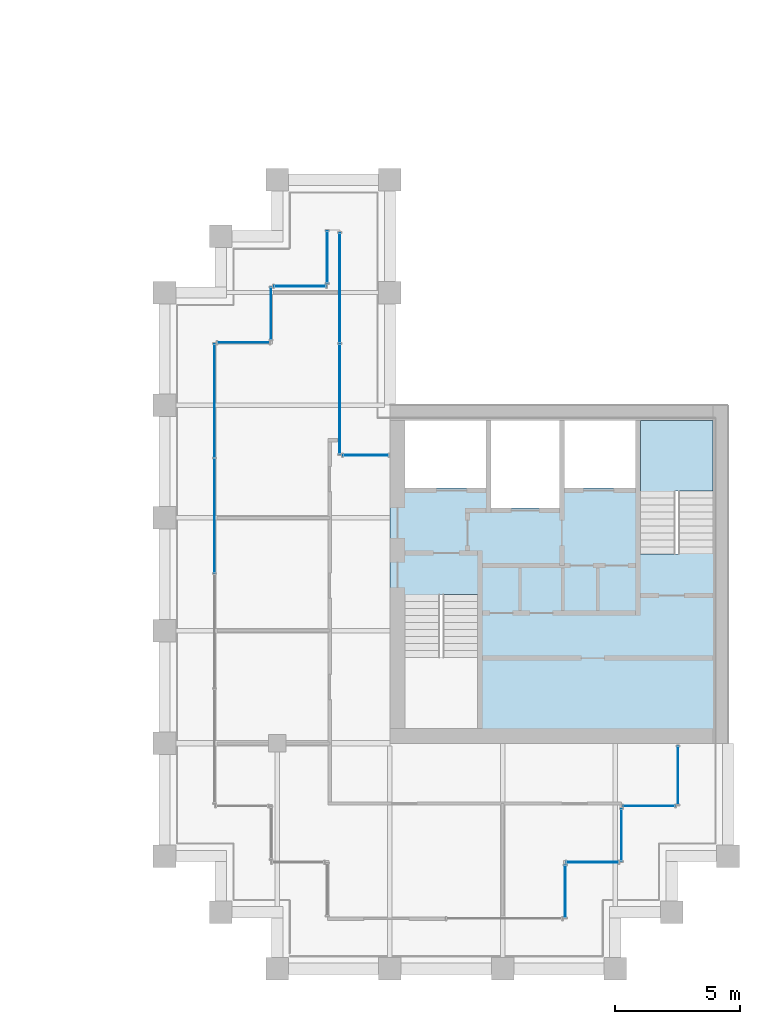
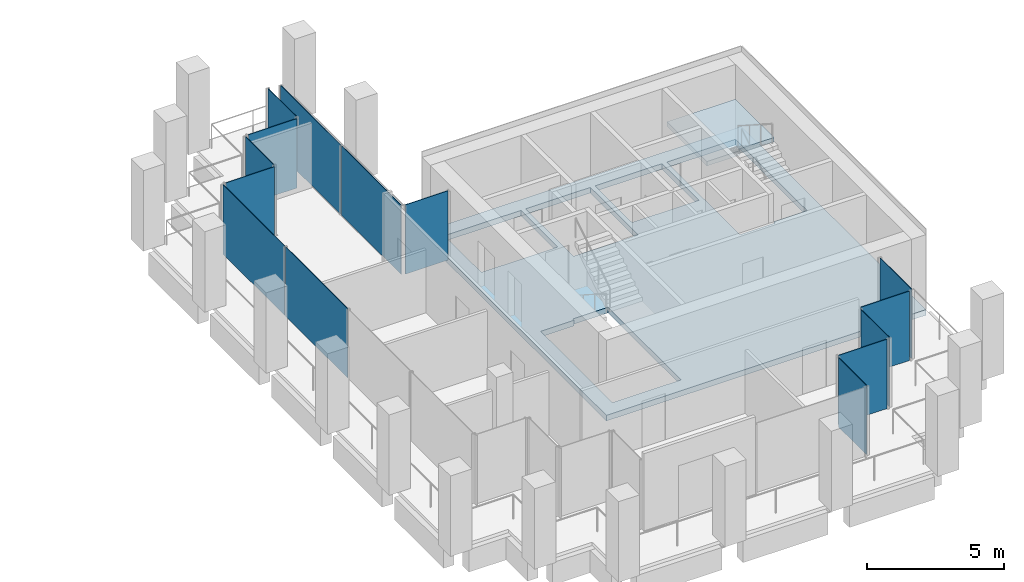
# One storey, part 35 of 40: 14 plates, 2 slabs, 13 elements without a shape of their own.
"""IFC4 building model written with IfcOpenShell, lengths in metres."""

import ifcopenshell
import ifcopenshell.guid

model = None  # the IFC model being written
_history = None  # IfcOwnerHistory: only IFC2X3 demands one
_inside = {}  # id of a spatial element -> (the spatial element, [elements in it])
_under = {}  # id of a project, library or spatial element -> (it, [spatial elements below it])
_declared = {}  # id of a project -> (the project, [libraries it declares])
_typed = {}  # id of a type object -> (the type object, [elements of that type])
_made_of = {}  # id of a material, layer set ... -> (it, [elements and type objects made of it])


def new_model(schema):
    """Start an empty IFC model of exactly this schema.

    Asked for "IFC4X3", IfcOpenShell would pick the latest addendum, in which some entities
    have other attributes; the version numbers below select the first issue.
    IFC2X3 requires an IfcOwnerHistory on every rooted entity: one is made here for all.
    """
    global model, _history
    if schema == "IFC4X3":
        model = ifcopenshell.file(schema_version=(4, 3, 0, 0))
    else:
        model = ifcopenshell.file(schema=schema)
    _inside.clear()
    _under.clear()
    _declared.clear()
    _typed.clear()
    _made_of.clear()
    _history = None
    if model.schema == "IFC2X3":
        org = make("IfcOrganization", Name="unknown")
        user = make(
            "IfcPersonAndOrganization",
            ThePerson=make("IfcPerson", FamilyName="unknown"),
            TheOrganization=org,
        )
        app = make(
            "IfcApplication",
            ApplicationDeveloper=org,
            Version="unknown",
            ApplicationFullName="unknown",
            ApplicationIdentifier="unknown",
        )
        _history = make(
            "IfcOwnerHistory",
            OwningUser=user,
            OwningApplication=app,
            ChangeAction="ADDED",
            CreationDate=0,
        )
    return model


def make(cls, **values):
    """One entity of the class cls with the attributes given. An attribute that is None is left unset."""
    return model.create_entity(
        cls, **{name: value for name, value in values.items() if value is not None}
    )


def rooted(cls, **values):
    """An entity with a GlobalId (a new one), such as an element, a storey or a relation."""
    return make(cls, GlobalId=ifcopenshell.guid.new(), OwnerHistory=_history, **values)


def si_unit(unit_type, name, prefix=None):
    """IfcSIUnit, for example si_unit("LENGTHUNIT", "METRE", prefix="MILLI")."""
    return make("IfcSIUnit", UnitType=unit_type, Prefix=prefix, Name=name)


def assignment(units):
    """IfcUnitAssignment: the units of a project."""
    return None if units is None else make("IfcUnitAssignment", Units=units)


def point(xyz):
    """IfcCartesianPoint."""
    return None if xyz is None else make("IfcCartesianPoint", Coordinates=xyz)


def direction(xyz):
    """IfcDirection."""
    return None if xyz is None else make("IfcDirection", DirectionRatios=xyz)


def frame(location, z_axis=None, x_axis=None):
    """IfcAxis2Placement3D, a coordinate frame: its origin and axes. An axis left out is left unset."""
    return make(
        "IfcAxis2Placement3D",
        Location=point(location),
        Axis=direction(z_axis),
        RefDirection=direction(x_axis),
    )


def frame_2d(location, x_axis=None):
    """IfcAxis2Placement2D, a coordinate frame in the plane: its origin and x axis."""
    return make(
        "IfcAxis2Placement2D", Location=point(location), RefDirection=direction(x_axis)
    )


def origin():
    """The frame at (0, 0, 0) with its axes left unset."""
    return frame((0.0, 0.0, 0.0))


def origin_2d():
    """The frame at (0, 0) in the plane with its x axis left unset."""
    return frame_2d((0.0, 0.0))


def place(relative_to, where):
    """IfcLocalPlacement: puts the frame where relative to a parent placement (None: the world)."""
    return make(
        "IfcLocalPlacement", PlacementRelTo=relative_to, RelativePlacement=where
    )


def context(
    kind, dimensions, precision=None, world=None, true_north=None, identifier=None
):
    """IfcGeometricRepresentationContext, for example the 3D "Model" context."""
    return make(
        "IfcGeometricRepresentationContext",
        ContextIdentifier=identifier,
        ContextType=kind,
        CoordinateSpaceDimension=dimensions,
        Precision=precision,
        WorldCoordinateSystem=world,
        TrueNorth=true_north,
    )


def subcontext(parent, identifier, kind, view, scale=None):
    """IfcGeometricRepresentationSubContext, for example "Body" below "Model"."""
    return make(
        "IfcGeometricRepresentationSubContext",
        ContextIdentifier=identifier,
        ContextType=kind,
        ParentContext=parent,
        TargetScale=scale,
        TargetView=view,
    )


def project(units=None, contexts=None):
    """IfcProject with its units and contexts."""
    return rooted(
        "IfcProject",
        Name="project",
        RepresentationContexts=contexts,
        UnitsInContext=assignment(units),
    )


def spatial(cls, under=None, at=None, **own):
    """A site, building, storey or space (cls), placed at a placement, below another one or the project."""
    s = rooted(cls, ObjectPlacement=at, **own)
    if under is not None:
        _under.setdefault(under.id(), (under, []))[1].append(s)
    return s


def polyline(points):
    """IfcPolyline through the points."""
    return make("IfcPolyline", Points=[point(p) for p in points])


def profile(cls, at=None, kind="AREA", **sizes):
    """A parametric profile (cls). Its sizes go by their IFC names, for example OverallWidth=200.0."""
    return make(cls, ProfileType=kind, Position=at, **sizes)


def rectangle(**sizes):
    """IfcRectangleProfileDef."""
    return profile("IfcRectangleProfileDef", **sizes)


def outline(outer, holes=None, kind="AREA"):
    """IfcArbitraryClosedProfileDef: a profile drawn as a closed curve; with holes, ...WithVoids."""
    if holes is None:
        return make("IfcArbitraryClosedProfileDef", ProfileType=kind, OuterCurve=outer)
    return make(
        "IfcArbitraryProfileDefWithVoids",
        ProfileType=kind,
        OuterCurve=outer,
        InnerCurves=holes,
    )


def extrude(swept, where, along, depth):
    """IfcExtrudedAreaSolid: the profile swept, set in the frame where, extruded along a direction by depth."""
    return make(
        "IfcExtrudedAreaSolid",
        SweptArea=swept,
        Position=where,
        ExtrudedDirection=direction(along),
        Depth=depth,
    )


def shape(context_of_items, identifier, shape_type, items):
    """IfcShapeRepresentation: the items that make up one representation, for example the "Body"."""
    return make(
        "IfcShapeRepresentation",
        ContextOfItems=context_of_items,
        RepresentationIdentifier=identifier,
        RepresentationType=shape_type,
        Items=items,
    )


def material(Name=None, Category=None):
    """IfcMaterial."""
    return make("IfcMaterial", Name=Name, Category=Category)


def layer(
    of_material, thickness, ventilated=None, Name=None, Category=None, Priority=None
):
    """IfcMaterialLayer: one layer of a wall or slab, of a material (None: an air gap)."""
    return make(
        "IfcMaterialLayer",
        Material=of_material,
        LayerThickness=thickness,
        IsVentilated=ventilated,
        Name=Name,
        Category=Category,
        Priority=Priority,
    )


def layer_set(layers, Name=None):
    """IfcMaterialLayerSet."""
    return make("IfcMaterialLayerSet", MaterialLayers=layers, LayerSetName=Name)


def made_of(thing, what):
    """Note that an element or type object is made of a material, layer set ...; save() writes the relation."""
    if what is not None:
        _made_of.setdefault(what.id(), (what, []))[1].append(thing)
    return thing


def type_object(cls, material=None, **own):
    """A type object (cls), such as IfcWallType, which elements share."""
    return made_of(rooted(cls, **own), material)


def element(
    cls,
    number,
    at=None,
    inside=None,
    cuts=None,
    type_object=None,
    material=None,
    context=None,
    identifier="Body",
    shape_type=None,
    held_by="IfcProductDefinitionShape",
    body=None,
    shapes=None,
    **own,
):
    """One element of the class cls, such as IfcWall. Its Tag is "e" and its number.

    at: its placement. inside: the storey or other place that contains it. cuts: it is an
    opening in that element (IfcRelVoidsElement). A single representation is given by context,
    identifier, shape_type and body (its items); several are given by shapes. held_by: the class
    of the entity that holds the representations. save() writes the other relations.
    """
    e = rooted(cls, Tag="e%d" % number, ObjectPlacement=at, **own)
    if body is not None:
        shapes = [shape(context, identifier, shape_type, body)]
    if shapes is not None:
        e.Representation = make(held_by, Representations=shapes)
    if inside is not None:
        _inside.setdefault(inside.id(), (inside, []))[1].append(e)
    if cuts is not None:
        rooted(
            "IfcRelVoidsElement", RelatingBuildingElement=cuts, RelatedOpeningElement=e
        )
    if type_object is not None:
        _typed.setdefault(type_object.id(), (type_object, []))[1].append(e)
    return made_of(e, material)


def aggregate(whole, parts):
    """IfcRelAggregates: a whole, such as a stair, and the parts it consists of."""
    return rooted("IfcRelAggregates", RelatingObject=whole, RelatedObjects=parts)


def save(model, path):
    """Write the relations noted so far, then the file.

    IfcRelAggregates (storeys below a building ...), IfcRelContainedInSpatialStructure (elements
    in a storey), IfcRelDefinesByType, IfcRelAssociatesMaterial and IfcRelDeclares: one each for
    every whole, place, type object, material and project.
    """
    for whole, parts in _under.values():
        aggregate(whole, parts)
    for where, things in _inside.values():
        rooted(
            "IfcRelContainedInSpatialStructure",
            RelatedElements=things,
            RelatingStructure=where,
        )
    for kind, things in _typed.values():
        rooted("IfcRelDefinesByType", RelatedObjects=things, RelatingType=kind)
    for what, things in _made_of.values():
        rooted("IfcRelAssociatesMaterial", RelatedObjects=things, RelatingMaterial=what)
    for by, libraries in _declared.values():
        rooted("IfcRelDeclares", RelatingContext=by, RelatedDefinitions=libraries)
    model.write(path)


model = new_model("IFC4")

# Units and contexts
model_context = context("Model", 3, precision=1e-05, world=origin(), true_north=direction((0.0, 1.0)))
body_context = subcontext(model_context, "Body", "Model", "MODEL_VIEW")
ifc_project = project(units=[si_unit("LENGTHUNIT", "METRE"), si_unit("AREAUNIT", "SQUARE_METRE"), si_unit("VOLUMEUNIT", "CUBIC_METRE"), si_unit("PLANEANGLEUNIT", "RADIAN"), si_unit("MASSUNIT", "GRAM", prefix="KILO")], contexts=[model_context])

# Site, building, storey
site_placement = place(None, origin())
site = spatial("IfcSite", under=ifc_project, at=site_placement, CompositionType="ELEMENT")
building_placement = place(site_placement, origin())
building = spatial("IfcBuilding", under=site, at=building_placement, Name="Altepetl Exchange Towers", CompositionType="ELEMENT")
storey_placement = place(building_placement, frame((0.0, 0.0, 179.800048828125)))
storey = spatial("IfcBuildingStorey", under=building, at=storey_placement, Name="L45", CompositionType="ELEMENT", Elevation=179.800048828125)

# Slab
ifc_material_1 = material(Name="Concrete C40/50", Category="concrete")
ifc_layer_1 = layer(ifc_material_1, 0.25)
ifc_layer_set_1 = layer_set([ifc_layer_1], Name="Concrete C40/50")
slab_type_1 = type_object("IfcSlabType", Name="Core floor slab 250", PredefinedType="FLOOR", material=ifc_layer_set_1)
slab_1_placement = place(storey_placement, frame((0.0, 0.0, -0.25)))
element("IfcSlab", 1, at=slab_1_placement, inside=storey, type_object=slab_type_1, Name="slab:B:L45:core0", PredefinedType="FLOOR", context=body_context, shape_type="SweptSolid", body=[
    extrude(outline(polyline([(103.5, 36.0), (117.0, 36.0), (117.0, 49.5), (103.5, 49.5), (103.5, 36.0)]), holes=[polyline([(107.0, 36.60009765625), (104.10009765625, 36.60009765625), (104.10009765625, 41.85009765625), (105.5, 41.85009765625), (105.5, 41.948974609375), (107.0, 41.948974609375), (107.0, 36.60009765625)]), polyline([(113.5, 48.89990234375), (116.39990234375, 48.89990234375), (116.39990234375, 43.64990234375), (115.0, 43.64990234375), (115.0, 43.551025390625), (113.5, 43.551025390625), (113.5, 48.89990234375)]), polyline([(107.532958984375, 45.39990234375), (107.532958984375, 48.89990234375), (110.26708984375, 48.89990234375), (110.26708984375, 45.39990234375), (107.532958984375, 45.39990234375)]), polyline([(104.10009765625, 48.89990234375), (107.3330078125, 48.89990234375), (107.3330078125, 46.199951171875), (104.10009765625, 46.199951171875), (104.10009765625, 48.89990234375)]), polyline([(110.467041015625, 48.89990234375), (113.300048828125, 48.89990234375), (113.300048828125, 46.199951171875), (110.467041015625, 46.199951171875), (110.467041015625, 48.89990234375)])]), origin(), (0.0, 0.0, 1.0), 0.25),
])

# Curtain wall, plate
ifc_material_2 = material(Name="Aluminium 6063-T6 glazing", Category="aluminium")
curtain_wall_type = type_object("IfcCurtainWallType", Name="Loggia glazing system", PredefinedType="NOTDEFINED", material=ifc_material_2)
curtain_wall_1_placement = place(storey_placement, origin())
curtain_wall_1 = element("IfcCurtainWall", 2, at=curtain_wall_1_placement, inside=storey, type_object=curtain_wall_type, Name="CW1 run", PredefinedType="NOTDEFINED")
ifc_material_3 = material(Name="Glass 6-16-6 low emissivity", Category="glass")
ifc_layer_2 = layer(ifc_material_3, 0.028076171875)
ifc_layer_set_2 = layer_set([ifc_layer_2], Name="Glass 6-16-6 low emissivity")
plate_type = type_object("IfcPlateType", Name="Glass panel 28 double glazed", PredefinedType="CURTAIN_PANEL", material=ifc_layer_set_2)
plate_1_placement = place(storey_placement, frame((110.5, 30.08740234375, 0.0), z_axis=(0.0, 0.0, 1.0), x_axis=(0.0, 1.0, 0.0)))
plate_1 = element("IfcPlate", 3, at=plate_1_placement, type_object=plate_type, Name="GP1 panel", PredefinedType="CURTAIN_PANEL", context=body_context, shape_type="SweptSolid", body=[
    extrude(rectangle(XDim=2.054931640625, YDim=0.028076171875, at=origin_2d()), origin(), (0.0, 0.0, 1.0), 3.10009765625),
])
aggregate(curtain_wall_1, [plate_1])

curtain_wall_2_placement = place(storey_placement, origin())
curtain_wall_2 = element("IfcCurtainWall", 4, at=curtain_wall_2_placement, inside=storey, type_object=curtain_wall_type, Name="CW1 run", PredefinedType="NOTDEFINED")
plate_2_placement = place(storey_placement, frame((111.58740234375, 31.25, 0.0)))
plate_2 = element("IfcPlate", 5, at=plate_2_placement, type_object=plate_type, Name="GP1 panel", PredefinedType="CURTAIN_PANEL", context=body_context, shape_type="SweptSolid", body=[
    extrude(rectangle(XDim=2.054931640625, YDim=0.028076171875, at=origin_2d()), origin(), (0.0, 0.0, 1.0), 3.10009765625),
])
aggregate(curtain_wall_2, [plate_2])

curtain_wall_3_placement = place(storey_placement, origin())
curtain_wall_3 = element("IfcCurtainWall", 6, at=curtain_wall_3_placement, inside=storey, type_object=curtain_wall_type, Name="CW1 run", PredefinedType="NOTDEFINED")
plate_3_placement = place(storey_placement, frame((112.75, 32.33740234375, 0.0), z_axis=(0.0, 0.0, 1.0), x_axis=(0.0, 1.0, 0.0)))
plate_3 = element("IfcPlate", 7, at=plate_3_placement, type_object=plate_type, Name="GP1 panel", PredefinedType="CURTAIN_PANEL", context=body_context, shape_type="SweptSolid", body=[
    extrude(rectangle(XDim=2.054931640625, YDim=0.028076171875, at=origin_2d()), origin(), (0.0, 0.0, 1.0), 3.10009765625),
])
aggregate(curtain_wall_3, [plate_3])

curtain_wall_4_placement = place(storey_placement, origin())
curtain_wall_4 = element("IfcCurtainWall", 8, at=curtain_wall_4_placement, inside=storey, type_object=curtain_wall_type, Name="CW1 run", PredefinedType="NOTDEFINED")
plate_4_placement = place(storey_placement, frame((113.83740234375, 33.5, 0.0)))
plate_4 = element("IfcPlate", 9, at=plate_4_placement, type_object=plate_type, Name="GP1 panel", PredefinedType="CURTAIN_PANEL", context=body_context, shape_type="SweptSolid", body=[
    extrude(rectangle(XDim=2.054931640625, YDim=0.028076171875, at=origin_2d()), origin(), (0.0, 0.0, 1.0), 3.10009765625),
])
aggregate(curtain_wall_4, [plate_4])

curtain_wall_5_placement = place(storey_placement, origin())
curtain_wall_5 = element("IfcCurtainWall", 10, at=curtain_wall_5_placement, inside=storey, type_object=curtain_wall_type, Name="CW1 run", PredefinedType="NOTDEFINED")
plate_5_placement = place(storey_placement, frame((115.0, 34.71240234375, 0.0), z_axis=(0.0, 0.0, 1.0), x_axis=(0.0, 1.0, 0.0)))
plate_5 = element("IfcPlate", 11, at=plate_5_placement, type_object=plate_type, Name="GP1 panel", PredefinedType="CURTAIN_PANEL", context=body_context, shape_type="SweptSolid", body=[
    extrude(rectangle(XDim=2.304931640625, YDim=0.028076171875, at=origin_2d()), origin(), (0.0, 0.0, 1.0), 3.10009765625),
])
aggregate(curtain_wall_5, [plate_5])

curtain_wall_6_placement = place(storey_placement, origin())
curtain_wall_6 = element("IfcCurtainWall", 12, at=curtain_wall_6_placement, inside=storey, type_object=curtain_wall_type, Name="CW1 run", PredefinedType="NOTDEFINED")
plate_6_placement = place(storey_placement, frame((102.53759765625, 47.5, 0.0), z_axis=(0.0, 0.0, 1.0), x_axis=(-1.0, 0.0, 0.0)))
plate_6 = element("IfcPlate", 13, at=plate_6_placement, type_object=plate_type, Name="GP1 panel", PredefinedType="CURTAIN_PANEL", context=body_context, shape_type="SweptSolid", body=[
    extrude(rectangle(XDim=1.804931640625, YDim=0.028076171875, at=origin_2d()), origin(), (0.0, 0.0, 1.0), 3.10009765625),
])
aggregate(curtain_wall_6, [plate_6])

# Curtain wall, plates
curtain_wall_7_placement = place(storey_placement, origin())
curtain_wall_7 = element("IfcCurtainWall", 14, at=curtain_wall_7_placement, inside=storey, type_object=curtain_wall_type, Name="CW1 run", PredefinedType="NOTDEFINED")
plate_7_placement = place(storey_placement, frame((101.5, 49.746337890625, 0.0), z_axis=(0.0, 0.0, 1.0), x_axis=(0.0, 1.0, 0.0)))
plate_7 = element("IfcPlate", 15, at=plate_7_placement, type_object=plate_type, Name="GP1 panel", PredefinedType="CURTAIN_PANEL", context=body_context, shape_type="SweptSolid", body=[
    extrude(rectangle(XDim=4.37255859375, YDim=0.028076171875, at=origin_2d()), origin(), (0.0, 0.0, 1.0), 3.10009765625),
])
plate_8_placement = place(storey_placement, frame((101.5, 54.1787109375, 0.0), z_axis=(0.0, 0.0, 1.0), x_axis=(0.0, 1.0, 0.0)))
plate_8 = element("IfcPlate", 16, at=plate_8_placement, type_object=plate_type, Name="GP1 panel", PredefinedType="CURTAIN_PANEL", context=body_context, shape_type="SweptSolid", body=[
    extrude(rectangle(XDim=4.37255859375, YDim=0.028076171875, at=origin_2d()), origin(), (0.0, 0.0, 1.0), 3.10009765625),
])
aggregate(curtain_wall_7, [plate_7, plate_8])

# Curtain wall, plate
curtain_wall_8_placement = place(storey_placement, origin())
curtain_wall_8 = element("IfcCurtainWall", 17, at=curtain_wall_8_placement, inside=storey, type_object=curtain_wall_type, Name="CW1 run", PredefinedType="NOTDEFINED")
plate_9_placement = place(storey_placement, frame((101.0, 55.41259765625, 0.0), z_axis=(0.0, 0.0, 1.0), x_axis=(0.0, -1.0, 0.0)))
plate_9 = element("IfcPlate", 18, at=plate_9_placement, type_object=plate_type, Name="GP1 panel", PredefinedType="CURTAIN_PANEL", context=body_context, shape_type="SweptSolid", body=[
    extrude(rectangle(XDim=2.054931640625, YDim=0.028076171875, at=origin_2d()), origin(), (0.0, 0.0, 1.0), 3.10009765625),
])
aggregate(curtain_wall_8, [plate_9])

curtain_wall_9_placement = place(storey_placement, origin())
curtain_wall_9 = element("IfcCurtainWall", 19, at=curtain_wall_9_placement, inside=storey, type_object=curtain_wall_type, Name="CW1 run", PredefinedType="NOTDEFINED")
plate_10_placement = place(storey_placement, frame((99.91259765625, 54.25, 0.0), z_axis=(0.0, 0.0, 1.0), x_axis=(-1.0, 0.0, 0.0)))
plate_10 = element("IfcPlate", 20, at=plate_10_placement, type_object=plate_type, Name="GP1 panel", PredefinedType="CURTAIN_PANEL", context=body_context, shape_type="SweptSolid", body=[
    extrude(rectangle(XDim=2.054931640625, YDim=0.028076171875, at=origin_2d()), origin(), (0.0, 0.0, 1.0), 3.10009765625),
])
aggregate(curtain_wall_9, [plate_10])

curtain_wall_10_placement = place(storey_placement, origin())
curtain_wall_10 = element("IfcCurtainWall", 21, at=curtain_wall_10_placement, inside=storey, type_object=curtain_wall_type, Name="CW1 run", PredefinedType="NOTDEFINED")
plate_11_placement = place(storey_placement, frame((98.75, 53.16259765625, 0.0), z_axis=(0.0, 0.0, 1.0), x_axis=(0.0, -1.0, 0.0)))
plate_11 = element("IfcPlate", 22, at=plate_11_placement, type_object=plate_type, Name="GP1 panel", PredefinedType="CURTAIN_PANEL", context=body_context, shape_type="SweptSolid", body=[
    extrude(rectangle(XDim=2.054931640625, YDim=0.028076171875, at=origin_2d()), origin(), (0.0, 0.0, 1.0), 3.10009765625),
])
aggregate(curtain_wall_10, [plate_11])

curtain_wall_11_placement = place(storey_placement, origin())
curtain_wall_11 = element("IfcCurtainWall", 23, at=curtain_wall_11_placement, inside=storey, type_object=curtain_wall_type, Name="CW1 run", PredefinedType="NOTDEFINED")
plate_12_placement = place(storey_placement, frame((97.66259765625, 52.0, 0.0), z_axis=(0.0, 0.0, 1.0), x_axis=(-1.0, 0.0, 0.0)))
plate_12 = element("IfcPlate", 24, at=plate_12_placement, type_object=plate_type, Name="GP1 panel", PredefinedType="CURTAIN_PANEL", context=body_context, shape_type="SweptSolid", body=[
    extrude(rectangle(XDim=2.054931640625, YDim=0.028076171875, at=origin_2d()), origin(), (0.0, 0.0, 1.0), 3.10009765625),
])
aggregate(curtain_wall_11, [plate_12])

# Curtain wall, plates
curtain_wall_12_placement = place(storey_placement, origin())
curtain_wall_12 = element("IfcCurtainWall", 25, at=curtain_wall_12_placement, inside=storey, type_object=curtain_wall_type, Name="CW1 run", PredefinedType="NOTDEFINED")
plate_13_placement = place(storey_placement, frame((96.5, 49.681884765625, 0.0), z_axis=(0.0, 0.0, 1.0), x_axis=(0.0, -1.0, 0.0)))
plate_13 = element("IfcPlate", 26, at=plate_13_placement, type_object=plate_type, Name="GP1 panel", PredefinedType="CURTAIN_PANEL", context=body_context, shape_type="SweptSolid", body=[
    extrude(rectangle(XDim=4.516357421875, YDim=0.028076171875, at=origin_2d()), origin(), (0.0, 0.0, 1.0), 3.10009765625),
])
plate_14_placement = place(storey_placement, frame((96.5, 45.090576171875, 0.0), z_axis=(0.0, 0.0, 1.0), x_axis=(0.0, -1.0, 0.0)))
plate_14 = element("IfcPlate", 27, at=plate_14_placement, type_object=plate_type, Name="GP1 panel", PredefinedType="CURTAIN_PANEL", context=body_context, shape_type="SweptSolid", body=[
    extrude(rectangle(XDim=4.546142578125, YDim=0.028076171875, at=origin_2d()), origin(), (0.0, 0.0, 1.0), 3.10009765625),
])
aggregate(curtain_wall_12, [plate_13, plate_14])

# Stair, slab
stair_type = type_object("IfcStairType", Name="Exit stair 1400 flights dogleg", PredefinedType="HALF_TURN_STAIR", material=ifc_material_1)
stair_placement = place(storey_placement, origin())
stair = element("IfcStair", 28, at=stair_placement, inside=storey, type_object=stair_type, Name="Exit stair 2", PredefinedType="HALF_TURN_STAIR")
ifc_layer_3 = layer(ifc_material_1, 0.199951171875)
ifc_layer_set_3 = layer_set([ifc_layer_3], Name="Concrete C40/50")
slab_type_2 = type_object("IfcSlabType", Name="Stair landing 200 reinforced concrete", PredefinedType="LANDING", material=ifc_layer_set_3)
slab_2_placement = place(storey_placement, frame((0.0, 0.0, 1.599853515625)))
slab_2 = element("IfcSlab", 29, at=slab_2_placement, type_object=slab_type_2, Name="ST-B2e landing 1", PredefinedType="LANDING", context=body_context, shape_type="SweptSolid", body=[
    extrude(outline(polyline([(114.89990234375, 45.969970703125), (113.5, 45.969970703125), (113.5, 46.070068359375), (113.5, 48.89990234375), (116.39990234375, 48.89990234375), (116.39990234375, 46.070068359375), (116.39990234375, 46.0693359375), (115.0, 46.0693359375), (115.0, 46.070068359375), (114.89990234375, 46.070068359375), (114.89990234375, 45.969970703125)])), origin(), (0.0, 0.0, 1.0), 0.2001953125),
])
aggregate(stair, [slab_2])

save(model, "model.ifc")
